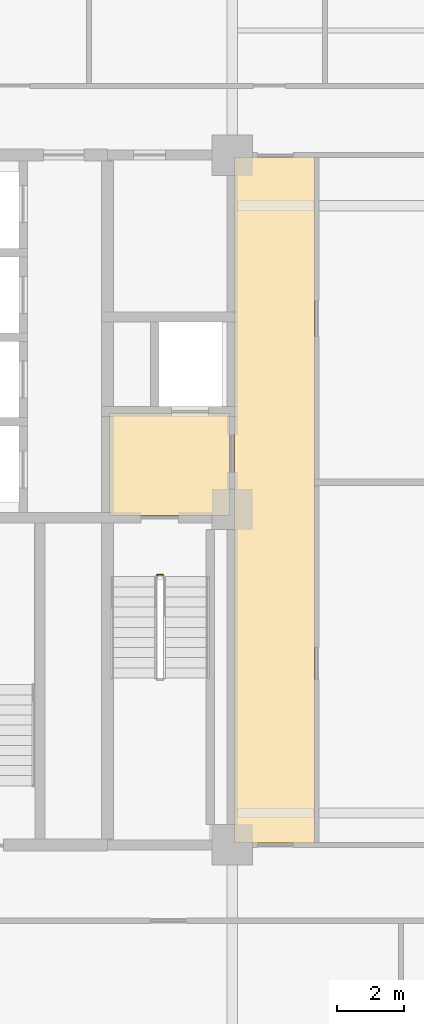
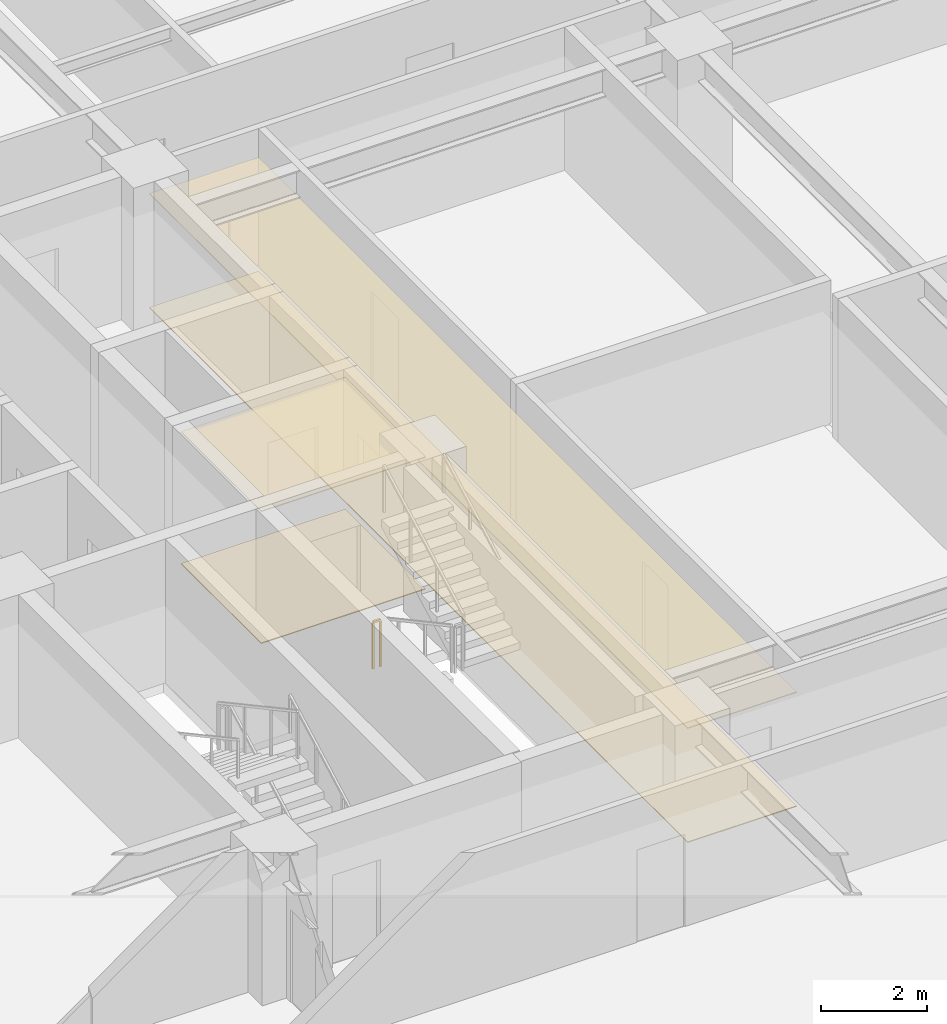
# One storey, part 18 of 20: 4 coverings, 1 railing.
"""IFC4 building model written with IfcOpenShell, lengths in metres."""

from ifc_helpers import new_model, si_unit, direction, frame, origin, origin_2d, place, context, subcontext, project, spatial, polyline, rectangle, outline, extrude, material, layer, layer_set, type_object, element, save


model = new_model("IFC4")

# Units and contexts
model_context = context("Model", 3, precision=1e-05, world=origin(), true_north=direction((0.0, 1.0)))
body_context = subcontext(model_context, "Body", "Model", "MODEL_VIEW")
ifc_project = project(units=[si_unit("LENGTHUNIT", "METRE"), si_unit("AREAUNIT", "SQUARE_METRE"), si_unit("VOLUMEUNIT", "CUBIC_METRE"), si_unit("PLANEANGLEUNIT", "RADIAN"), si_unit("MASSUNIT", "GRAM", prefix="KILO")], contexts=[model_context])

# Site, building, storey
site_placement = place(None, origin())
site = spatial("IfcSite", under=ifc_project, at=site_placement, CompositionType="ELEMENT")
building_placement = place(site_placement, origin())
building = spatial("IfcBuilding", under=site, at=building_placement, Name="Zulmaris Gate Convention Tower", CompositionType="ELEMENT")
storey_placement = place(building_placement, frame((0.0, 0.0, 75.0400390625)))
storey = spatial("IfcBuildingStorey", under=building, at=storey_placement, Name="L18", CompositionType="ELEMENT", Elevation=75.0400390625)

# Coverings
ifc_material_1 = material(Name="Mineral Fibre Acoustic Ceiling Tile")
ifc_layer_1 = layer(ifc_material_1, 0.02001953125, Name="Mineral Fibre Acoustic Ceiling Tile")
ifc_layer_set_1 = layer_set([ifc_layer_1], Name="Mineral Fibre Acoustic Ceiling Tile")
covering_type_1 = type_object("IfcCoveringType", Name="CLG-ACOUSTIC-600", PredefinedType="CEILING", material=ifc_layer_set_1)
covering_1_placement = place(storey_placement, frame((0.0, 0.0, 3.039794921875)))
element("IfcCovering", 1, at=covering_1_placement, inside=storey, type_object=covering_type_1, Name="CLG-L18-R03", PredefinedType="CEILING", context=body_context, shape_type="SweptSolid", body=[
    extrude(outline(polyline([(-14.639892578125, -0.18994140625), (-11.06005859375, -0.18994140625), (-11.06005859375, 2.840087890625), (-14.639892578125, 2.840087890625), (-14.639892578125, -0.18994140625)])), origin(), (0.0, 0.0, 1.0), 0.02001953125),
])
covering_2_placement = place(storey_placement, frame((0.0, 0.0, 2.6279296875)))
element("IfcCovering", 2, at=covering_2_placement, inside=storey, type_object=covering_type_1, Name="CLG-L18-R28", PredefinedType="CEILING", context=body_context, shape_type="SweptSolid", body=[
    extrude(outline(polyline([(-10.93994140625, -9.889892578125), (-8.56005859375, -9.889892578125), (-8.56005859375, 10.43994140625), (-10.93994140625, 10.43994140625), (-10.93994140625, -9.889892578125)])), origin(), (0.0, 0.0, 1.0), 0.02001953125),
])
ifc_material_2 = material(Name="Woven Acoustic Wool Carpet Tile")
ifc_layer_2 = layer(ifc_material_2, 0.02001953125, Name="Woven Acoustic Wool Carpet Tile")
ifc_layer_set_2 = layer_set([ifc_layer_2], Name="Woven Acoustic Wool Carpet Tile")
covering_type_2 = type_object("IfcCoveringType", Name="FLR-CARPET-12", PredefinedType="FLOORING", material=ifc_layer_set_2)
covering_3_placement = place(storey_placement, origin())
element("IfcCovering", 3, at=covering_3_placement, inside=storey, type_object=covering_type_2, Name="FLR-L18-R03", PredefinedType="FLOORING", context=body_context, shape_type="SweptSolid", body=[
    extrude(outline(polyline([(-14.639892578125, -0.18994140625), (-11.06005859375, -0.18994140625), (-11.06005859375, 2.840087890625), (-14.639892578125, 2.840087890625), (-14.639892578125, -0.18994140625)])), origin(), (0.0, 0.0, 1.0), 0.02001953125),
])
covering_4_placement = place(storey_placement, origin())
element("IfcCovering", 4, at=covering_4_placement, inside=storey, type_object=covering_type_2, Name="FLR-L18-R28", PredefinedType="FLOORING", context=body_context, shape_type="SweptSolid", body=[
    extrude(outline(polyline([(-10.93994140625, -9.889892578125), (-8.56005859375, -9.889892578125), (-8.56005859375, 10.43994140625), (-10.93994140625, 10.43994140625), (-10.93994140625, -9.889892578125)])), origin(), (0.0, 0.0, 1.0), 0.02001953125),
])

# Railing
ifc_material_3 = material(Name="Painted Galvanised Steel", Category="steel")
railing_type = type_object("IfcRailingType", Name="RL-STG-1150", PredefinedType="GUARDRAIL", material=ifc_material_3)
railing_placement = place(storey_placement, frame((-13.219970703125, -1.949951171875, 0.0)))
element("IfcRailing", 5, at=railing_placement, inside=storey, type_object=railing_type, Name="L18 ST-1 stair guard 4", PredefinedType="GUARDRAIL", context=body_context, shape_type="SweptSolid", body=[
    extrude(rectangle(XDim=0.048095703125, YDim=0.048095703125, at=origin_2d()), frame((0.0, 0.0, 1.076171875), z_axis=(1.0, 0.0, 0.0), x_axis=(0.0, 1.0, 0.0)), (0.0, 0.0, 1.0), 0.159912109375),
    extrude(rectangle(XDim=0.0419921875, YDim=0.0419921875, at=origin_2d()), origin(), (0.0, 0.0, 1.0), 1.052001953125),
    extrude(rectangle(XDim=0.0419921875, YDim=0.0419921875, at=origin_2d()), frame((0.159912109375, 0.0, 0.0)), (0.0, 0.0, 1.0), 1.052001953125),
])

save(model, "model.ifc")
